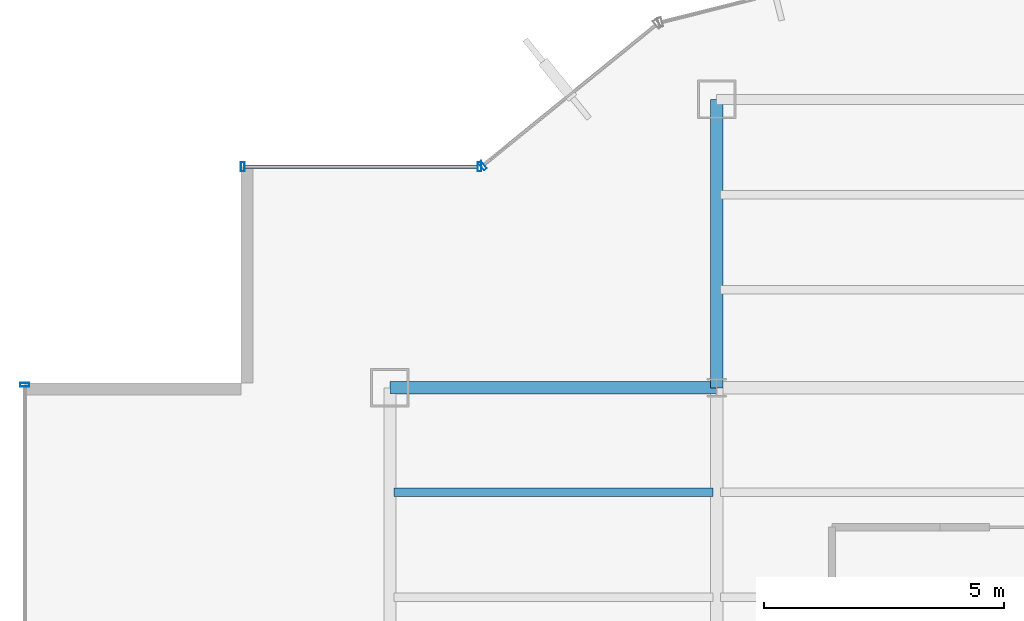
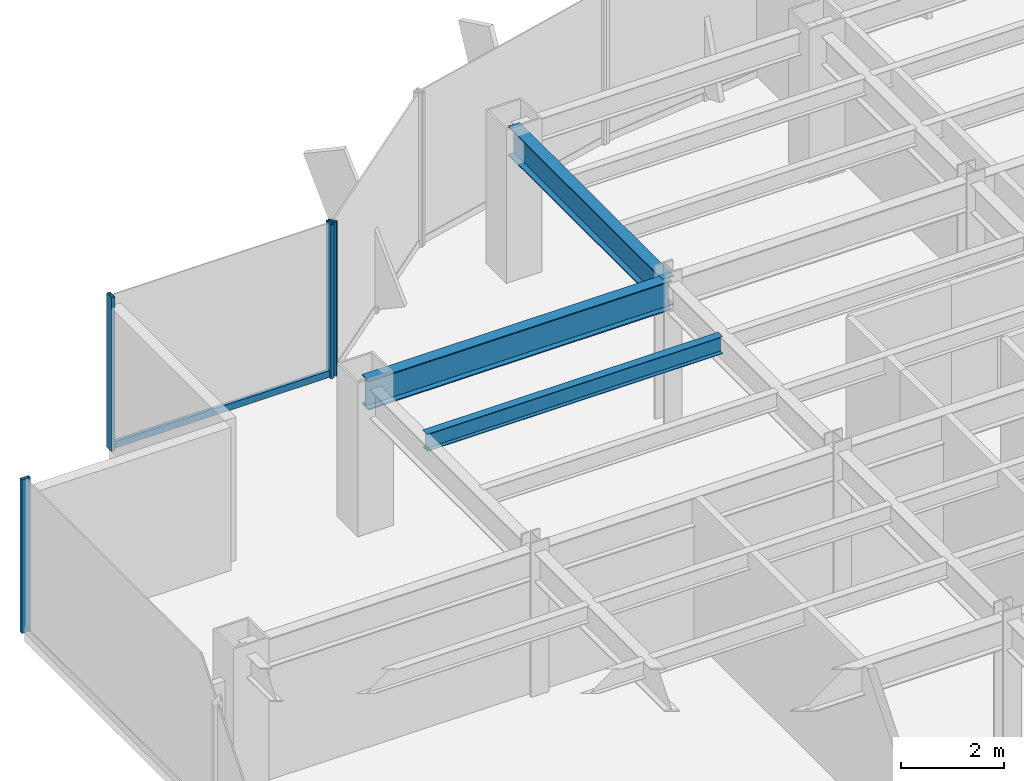
# One storey, part 13 of 26: 5 members, 3 beams, 3 elements without a shape of their own.
"""IFC4 building model written with IfcOpenShell, lengths in metres."""

from ifc_helpers import new_model, si_unit, derived_unit, direction, frame, origin, origin_2d, place, context, subcontext, project, spatial, hollow_rectangle, i_section, extrude, source, transform, mapped, material, material_profile, profile_set, type_object, element, aggregate, save


model = new_model("IFC4")

# Units and contexts
model_context = context("Model", 3, precision=1e-05, world=origin(), true_north=direction((0.0, 1.0)))
body_context = subcontext(model_context, "Body", "Model", "MODEL_VIEW")
ifc_project = project(units=[si_unit("LENGTHUNIT", "METRE"), si_unit("AREAUNIT", "SQUARE_METRE"), si_unit("VOLUMEUNIT", "CUBIC_METRE"), si_unit("PLANEANGLEUNIT", "RADIAN"), si_unit("MASSUNIT", "GRAM", prefix="KILO"), derived_unit("THERMALTRANSMITTANCEUNIT", [(si_unit("POWERUNIT", "WATT"), 1), (si_unit("LENGTHUNIT", "METRE"), -2), (si_unit("THERMODYNAMICTEMPERATUREUNIT", "KELVIN"), -1)])], contexts=[model_context])

# Site, building, storey
site_placement = place(None, origin())
site = spatial("IfcSite", under=ifc_project, at=site_placement, CompositionType="ELEMENT")
building_placement = place(site_placement, origin())
building = spatial("IfcBuilding", under=site, at=building_placement, Name="Skarnbrae Concourse Arena and Tower", CompositionType="ELEMENT")
storey_placement = place(building_placement, frame((0.0, 0.0, 92.300048828125)))
storey = spatial("IfcBuildingStorey", under=building, at=storey_placement, Name="L22", CompositionType="ELEMENT", Elevation=92.300048828125)

# Beams
ifc_material_1 = material(Name="Steel CSA G40.21 350W", Category="steel")
ifc_material_profile_1 = material_profile(ifc_material_1, i_section(OverallWidth=0.256103515625, OverallDepth=0.693115234375, WebThickness=0.014404296875, FlangeThickness=0.023681640625, at=origin_2d()), Name="W690X170")
ifc_profile_set_1 = profile_set([ifc_material_profile_1], Name="Steel CSA G40.21 350W")
beam_type_1 = type_object("IfcBeamType", Name="BM-GIRD-W690X170", PredefinedType="BEAM", material=ifc_profile_set_1)
shared_shape_1 = source(origin(), body_context, "Body", "SweptSolid", [
    extrude(i_section(OverallWidth=0.256103515625, OverallDepth=0.693115234375, WebThickness=0.014404296875, FlangeThickness=0.023681640625, at=origin_2d()), origin(), (0.0, 0.0, 1.0), 6.7998046875),
])
beam_1_placement = place(storey_placement, frame((7.60009765625, 34.39990234375, 3.053466796875), z_axis=(1.0, 0.0, 0.0), x_axis=(0.0, 1.0, 0.0)))
element("IfcBeam", 1, at=beam_1_placement, inside=storey, type_object=beam_type_1, Name="L22 Primary E-W girder Y34.4-1", PredefinedType="BEAM", context=body_context, shape_type="MappedRepresentation", body=[
    mapped(shared_shape_1, transform((0.0, 0.0, 0.0))),
])
shared_shape_2 = source(origin(), body_context, "Body", "SweptSolid", [
    extrude(i_section(OverallWidth=0.256103515625, OverallDepth=0.693115234375, WebThickness=0.014404296875, FlangeThickness=0.023681640625, at=origin_2d()), origin(), (0.0, 0.0, 1.0), 6.0),
])
beam_2_placement = place(storey_placement, frame((14.39990234375, 34.39990234375, 3.053466796875), z_axis=(0.0, 1.0, 0.0), x_axis=(-1.0, 0.0, 0.0)))
element("IfcBeam", 2, at=beam_2_placement, inside=storey, type_object=beam_type_1, Name="L22 Primary N-S girder X14.4-4", PredefinedType="BEAM", context=body_context, shape_type="MappedRepresentation", body=[
    mapped(shared_shape_2, transform((0.0, 0.0, 0.0))),
])
ifc_material_profile_2 = material_profile(ifc_material_1, i_section(OverallWidth=0.177978515625, OverallDepth=0.406982421875, WebThickness=0.0078125, FlangeThickness=0.0126953125, at=origin_2d()), Name="W410X60")
ifc_profile_set_2 = profile_set([ifc_material_profile_2], Name="Steel CSA G40.21 350W")
beam_type_2 = type_object("IfcBeamType", Name="BM-JOIST-W410X60", PredefinedType="JOIST", material=ifc_profile_set_2)
shared_shape_3 = source(origin(), body_context, "Body", "SweptSolid", [
    extrude(i_section(OverallWidth=0.177978515625, OverallDepth=0.406982421875, WebThickness=0.0078125, FlangeThickness=0.0126953125, at=origin_2d()), origin(), (0.0, 0.0, 1.0), 6.64013671875),
])
beam_3_placement = place(storey_placement, frame((7.679931640625, 32.221923828125, 3.196533203125), z_axis=(1.0, 0.0, 0.0), x_axis=(0.0, 1.0, 0.0)))
element("IfcBeam", 3, at=beam_3_placement, inside=storey, type_object=beam_type_2, Name="L22 Secondary floor joist 3.2.1", PredefinedType="JOIST", context=body_context, shape_type="MappedRepresentation", body=[
    mapped(shared_shape_3, transform((0.0, 0.0, 0.0))),
])

# Curtain wall, member
ifc_material_2 = material(Name="Bronze anodised aluminium 6063-T6", Category="aluminium")
curtain_wall_type = type_object("IfcCurtainWallType", Name="CW-SYS-04-MIDZONE", PredefinedType="USERDEFINED", material=ifc_material_2)
curtain_wall_1_placement = place(storey_placement, origin())
curtain_wall_1 = element("IfcCurtainWall", 4, at=curtain_wall_1_placement, inside=storey, type_object=curtain_wall_type, Name="L22 Unitised curtain wall CW-L22-E16", ObjectType="UNITISED CURTAIN WALL", PredefinedType="USERDEFINED")
ifc_material_profile_3 = material_profile(ifc_material_2, hollow_rectangle(XDim=0.074951171875, YDim=0.159912109375, WallThickness=0.00439453125, at=origin_2d()), Name="ALU-TRAN-75X160")
ifc_profile_set_3 = profile_set([ifc_material_profile_3], Name="Bronze anodised aluminium 6063-T6")
member_type_1 = type_object("IfcMemberType", Name="CWT-CW-04", PredefinedType="USERDEFINED", material=ifc_profile_set_3)
shared_shape_4 = source(origin(), body_context, "Body", "SweptSolid", [
    extrude(hollow_rectangle(XDim=0.074951171875, YDim=0.159912109375, WallThickness=0.00439453125, at=origin_2d()), origin(), (0.0, 0.0, 1.0), 4.85009765625),
])
member_1_placement = place(storey_placement, frame((9.425048828125, 39.0, 0.079833984375), z_axis=(-1.0, 0.0, 0.0), x_axis=(0.0, -1.0, 0.0)))
member_1 = element("IfcMember", 5, at=member_1_placement, type_object=member_type_1, Name="CW-L22-E16 Transom 1", ObjectType="TRANSOM", PredefinedType="USERDEFINED", context=body_context, shape_type="MappedRepresentation", body=[
    mapped(shared_shape_4, transform((0.0, 0.0, 0.0))),
])

curtain_wall_2_placement = place(storey_placement, origin())
curtain_wall_2 = element("IfcCurtainWall", 6, at=curtain_wall_2_placement, inside=storey, type_object=curtain_wall_type, Name="L22 Unitised curtain wall CW-L22-E15", ObjectType="UNITISED CURTAIN WALL", PredefinedType="USERDEFINED")
ifc_material_profile_4 = material_profile(ifc_material_2, hollow_rectangle(XDim=0.074951171875, YDim=0.195068359375, WallThickness=0.00439453125, at=origin_2d()), Name="ALU-MULL-75X195")
ifc_profile_set_4 = profile_set([ifc_material_profile_4], Name="Bronze anodised aluminium 6063-T6")
member_type_2 = type_object("IfcMemberType", Name="CWM-CW-04", PredefinedType="MULLION", material=ifc_profile_set_4)
shared_shape_5 = source(origin(), body_context, "Body", "SweptSolid", [
    extrude(hollow_rectangle(XDim=0.074951171875, YDim=0.195068359375, WallThickness=0.00439453125, at=origin_2d()), origin(), (0.0, 0.0, 1.0), 3.64990234375),
])
member_2_placement = place(storey_placement, frame((9.529052734375, 39.023681640625, 0.0), z_axis=(0.0, 0.0, 1.0), x_axis=(-0.776241200471, -0.630436038542, 0.0)))
member_2 = element("IfcMember", 7, at=member_2_placement, type_object=member_type_2, Name="CW-L22-E15 Mullion 2", PredefinedType="MULLION", context=body_context, shape_type="MappedRepresentation", body=[
    mapped(shared_shape_5, transform((0.0, 0.0, 0.0))),
])
aggregate(curtain_wall_2, [member_2])

# Member
member_3_placement = place(storey_placement, frame((9.46240234375, 39.0, 0.0), z_axis=(0.0, 0.0, 1.0), x_axis=(-1.0, 0.0, 0.0)))
member_3 = element("IfcMember", 8, at=member_3_placement, type_object=member_type_2, Name="CW-L22-E16 Mullion 1", PredefinedType="MULLION", context=body_context, shape_type="MappedRepresentation", body=[
    mapped(shared_shape_5, transform((0.0, 0.0, 0.0))),
])

member_4_placement = place(storey_placement, frame((4.53759765625, 39.0, 0.0), z_axis=(0.0, 0.0, 1.0), x_axis=(-1.0, 0.0, 0.0)))
member_4 = element("IfcMember", 9, at=member_4_placement, type_object=member_type_2, Name="CW-L22-E16 Mullion 2", PredefinedType="MULLION", context=body_context, shape_type="MappedRepresentation", body=[
    mapped(shared_shape_5, transform((0.0, 0.0, 0.0))),
])

aggregate(curtain_wall_1, [member_3, member_4, member_1])

# Curtain wall, member
curtain_wall_3_placement = place(storey_placement, origin())
curtain_wall_3 = element("IfcCurtainWall", 10, at=curtain_wall_3_placement, inside=storey, type_object=curtain_wall_type, Name="L22 Unitised curtain wall CW-L22-E19", ObjectType="UNITISED CURTAIN WALL", PredefinedType="USERDEFINED")
member_5_placement = place(storey_placement, frame((0.0, 34.46240234375, 0.0), z_axis=(0.0, 0.0, 1.0), x_axis=(0.0, -1.0, 0.0)))
member_5 = element("IfcMember", 11, at=member_5_placement, type_object=member_type_2, Name="CW-L22-E19 Mullion 1", PredefinedType="MULLION", context=body_context, shape_type="MappedRepresentation", body=[
    mapped(shared_shape_5, transform((0.0, 0.0, 0.0))),
])
aggregate(curtain_wall_3, [member_5])

save(model, "model.ifc")
